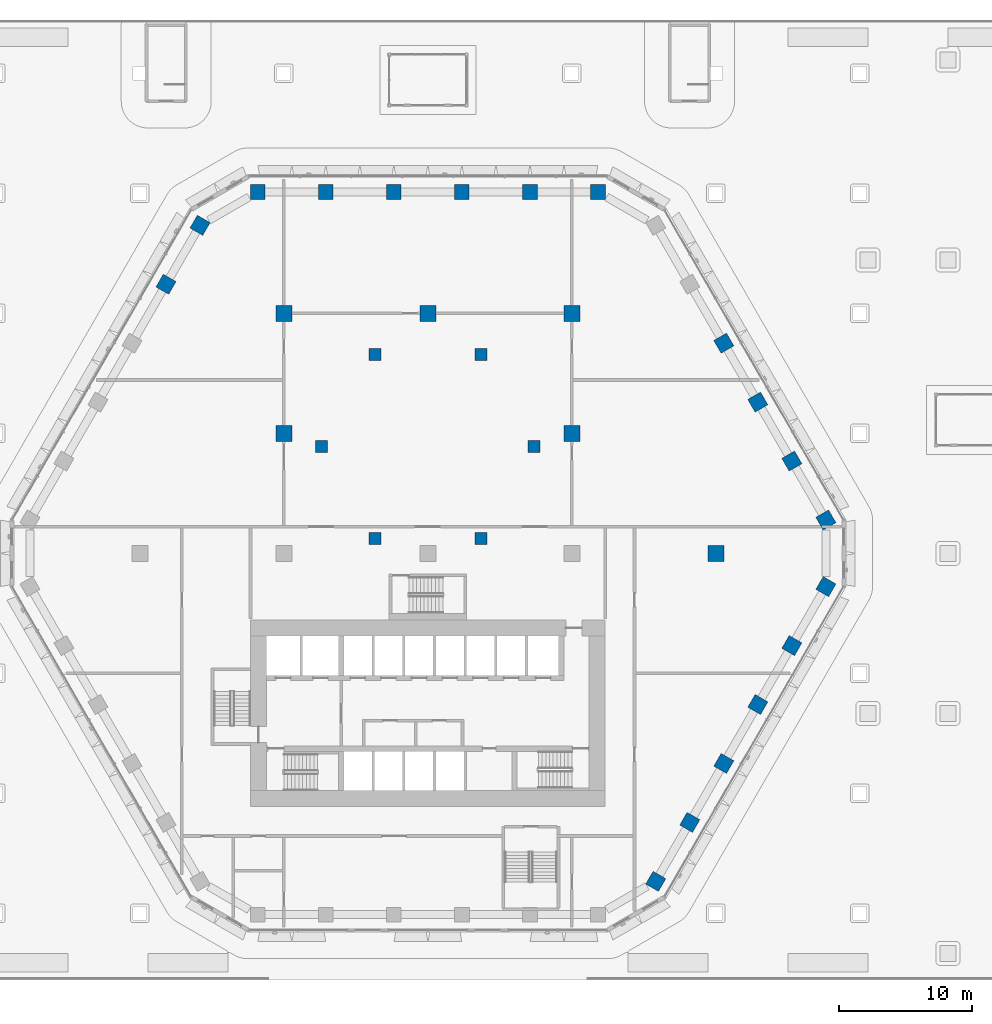
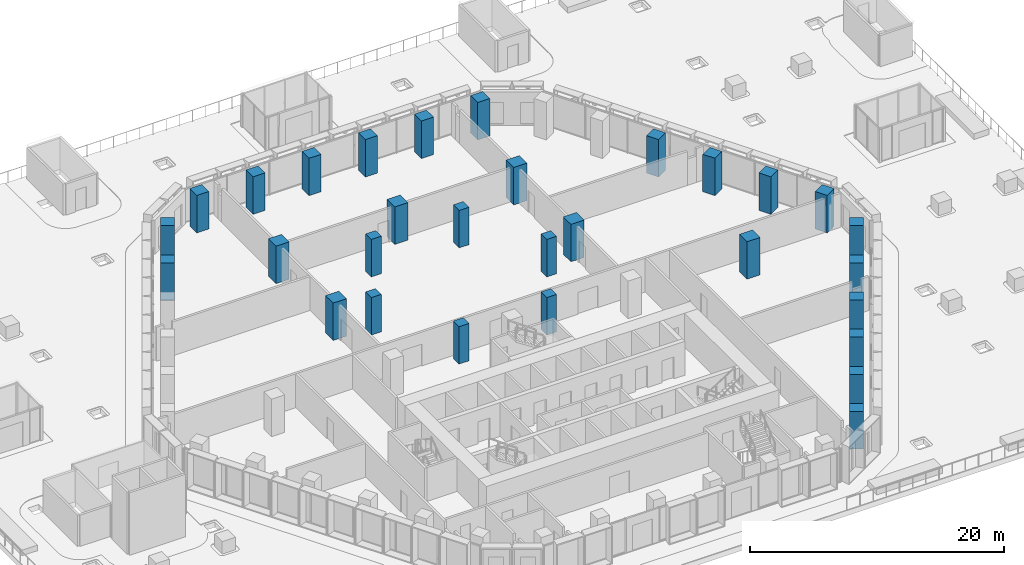
# One storey, part 3 of 38: 30 columns.
"""IFC4 building model written with IfcOpenShell, lengths in metres."""

from ifc_helpers import new_model, si_unit, direction, frame, origin, origin_2d, place, context, subcontext, project, spatial, rectangle, extrude, material, material_profile, profile_set, type_object, element, save


model = new_model("IFC4")

# Units and contexts
model_context = context("Model", 3, precision=1e-05, world=origin(), true_north=direction((0.0, 1.0)))
body_context = subcontext(model_context, "Body", "Model", "MODEL_VIEW")
ifc_project = project(units=[si_unit("LENGTHUNIT", "METRE"), si_unit("AREAUNIT", "SQUARE_METRE"), si_unit("VOLUMEUNIT", "CUBIC_METRE"), si_unit("PLANEANGLEUNIT", "RADIAN"), si_unit("MASSUNIT", "GRAM", prefix="KILO")], contexts=[model_context])

# Site, building, storey
site_placement = place(None, origin())
site = spatial("IfcSite", under=ifc_project, at=site_placement, CompositionType="ELEMENT")
building_placement = place(site_placement, origin())
building = spatial("IfcBuilding", under=site, at=building_placement, Name="Beryl Residences", CompositionType="ELEMENT")
storey_placement = place(building_placement, frame((0.0, 0.0, 9.0)))
storey = spatial("IfcBuildingStorey", under=building, at=storey_placement, Name="L02", CompositionType="ELEMENT", Elevation=9.0)

# Columns
ifc_material_1 = material(Name="Concrete C80/95", Category="concrete")
ifc_material_profile_1 = material_profile(ifc_material_1, rectangle(XDim=1.10009765625, YDim=1.10009765625, at=origin_2d()))
ifc_profile_set_1 = profile_set([ifc_material_profile_1], Name="Concrete C80/95")
column_type_1 = type_object("IfcColumnType", Name="C1 tube column 1100 x 1100 C80/95", PredefinedType="COLUMN", material=ifc_profile_set_1)
for number, where, z_axis, x_axis, name in (
    (1, (12.759033203125, 27.10009765625, 0.0), (0.0, 0.0, 1.0), (-1.0, 0.0, 0.0), "C1-N1 L02"),
    (2, (7.655029296875, 27.10009765625, 0.0), (0.0, 0.0, 1.0), (-1.0, 0.0, 0.0), "C1-N2 L02"),
    (3, (2.551025390625, 27.10009765625, 0.0), (0.0, 0.0, 1.0), (-1.0, 0.0, 0.0), "C1-N3 L02"),
    (4, (-2.552978515625, 27.10009765625, 0.0), (0.0, 0.0, 1.0), (-1.0, 0.0, 0.0), "C1-N4 L02"),
    (5, (-7.656982421875, 27.10009765625, 0.0), (0.0, 0.0, 1.0), (-1.0, 0.0, 0.0), "C1-N5 L02"),
    (6, (-12.760986328125, 27.10009765625, 0.0), (0.0, 0.0, 1.0), (-1.0, 0.0, 0.0), "C1-N6 L02"),
    (7, (-17.090087890625, 24.60009765625, 0.0), (0.0, 0.0, 1.0), (-0.499984884929, -0.866034130299, 0.0), "C1-NW1 L02"),
    (8, (-19.64208984375, 20.179931640625, 0.0), (0.0, 0.0, 1.0), (-0.499984884929, -0.866034130299, 0.0), "C1-NW2 L02"),
    (9, (17.090087890625, -24.60009765625, 0.0), (0.0, 0.0, 1.0), (0.499984884929, 0.866034130299, 0.0), "C1-SE1 L02"),
    (10, (19.64208984375, -20.179931640625, 0.0), (0.0, 0.0, 1.0), (0.499984884929, 0.866034130299, 0.0), "C1-SE2 L02"),
    (11, (22.194091796875, -15.759033203125, 0.0), (0.0, 0.0, 1.0), (0.499984884929, 0.866034130299, 0.0), "C1-SE3 L02"),
    (12, (24.74609375, -11.339111328125, 0.0), (0.0, 0.0, 1.0), (0.499984884929, 0.866034130299, 0.0), "C1-SE4 L02"),
    (13, (27.298095703125, -6.9189453125, 0.0), (0.0, 0.0, 1.0), (0.499984884929, 0.866034130299, 0.0), "C1-SE5 L02"),
    (14, (29.84912109375, -2.4990234375, 0.0), (0.0, 0.0, 1.0), (0.499984884929, 0.866034130299, 0.0), "C1-SE6 L02"),
    (15, (29.847900390625, 2.5, 0.0), (0.0, 0.0, 1.0), (-0.499984884929, 0.866034130299, 0.0), "C1-NE1 L02"),
    (16, (27.297119140625, 6.9208984375, 0.0), (0.0, 0.0, 1.0), (-0.499984884929, 0.866034130299, 0.0), "C1-NE2 L02"),
    (17, (24.7451171875, 11.341064453125, 0.0), (0.0, 0.0, 1.0), (-0.499984884929, 0.866034130299, 0.0), "C1-NE3 L02"),
    (18, (22.193115234375, 15.760986328125, 0.0), (0.0, 0.0, 1.0), (-0.499984884929, 0.866034130299, 0.0), "C1-NE4 L02"),
):
    element("IfcColumn", number, at=place(storey_placement, frame(where, z_axis=z_axis, x_axis=x_axis)), inside=storey, type_object=column_type_1, Name=name, PredefinedType="COLUMN", context=body_context, shape_type="SweptSolid", body=[
        extrude(rectangle(XDim=1.10009765625, YDim=1.10009765625, at=origin_2d()), origin(), (0.0, 0.0, 1.0), 3.60009765625),
    ])
ifc_material_2 = material(Name="Concrete C80/95", Category="concrete")
ifc_material_profile_2 = material_profile(ifc_material_2, rectangle(XDim=0.89990234375, YDim=0.89990234375, at=origin_2d()))
ifc_profile_set_2 = profile_set([ifc_material_profile_2], Name="Concrete C80/95")
column_type_2 = type_object("IfcColumnType", Name="IC1 interior column 900 x 900 C80/95", PredefinedType="COLUMN", material=ifc_profile_set_2)
for number, where, z_axis, x_axis, name in (
    (19, (3.98388671875, 1.10009765625, 0.0), (0.0, 0.0, 1.0), (1.0, 0.0, 0.0), "IC1-A07 L02"),
    (20, (7.967041015625, 8.0, 0.0), (0.0, 0.0, 1.0), (1.0, 0.0, 0.0), "IC1-A10 L02"),
    (21, (3.98388671875, 14.89990234375, 0.0), (0.0, 0.0, 1.0), (1.0, 0.0, 0.0), "IC1-A13 L02"),
    (22, (-3.98388671875, 14.89990234375, 0.0), (0.0, 0.0, 1.0), (1.0, 0.0, 0.0), "IC1-A16 L02"),
    (23, (-7.967041015625, 8.0, 0.0), (0.0, 0.0, 1.0), (1.0, 0.0, 0.0), "IC1-A19 L02"),
    (24, (-3.98388671875, 1.10009765625, 0.0), (0.0, 0.0, 1.0), (1.0, 0.0, 0.0), "IC1-A22 L02"),
):
    element("IfcColumn", number, at=place(storey_placement, frame(where, z_axis=z_axis, x_axis=x_axis)), inside=storey, type_object=column_type_2, Name=name, PredefinedType="COLUMN", context=body_context, shape_type="SweptSolid", body=[
        extrude(rectangle(XDim=0.89990234375, YDim=0.89990234375, at=origin_2d()), origin(), (0.0, 0.0, 1.0), 3.60009765625),
    ])
ifc_material_3 = material(Name="Concrete C80/95", Category="concrete")
ifc_material_profile_3 = material_profile(ifc_material_3, rectangle(XDim=1.199951171875, YDim=1.199951171875, at=origin_2d()))
ifc_profile_set_3 = profile_set([ifc_material_profile_3], Name="Concrete C80/95")
column_type_3 = type_object("IfcColumnType", Name="IG1 grid column 1200 x 1200 C80/95", PredefinedType="COLUMN", material=ifc_profile_set_3)
for number, where, z_axis, x_axis, name in (
    (25, (-10.800048828125, 9.0, 0.0), (0.0, 0.0, 1.0), (1.0, 0.0, 0.0), "IG-4E L02"),
    (26, (-10.800048828125, 18.0, 0.0), (0.0, 0.0, 1.0), (1.0, 0.0, 0.0), "IG-4F L02"),
    (27, (0.0, 18.0, 0.0), (0.0, 0.0, 1.0), (1.0, 0.0, 0.0), "IG-5F L02"),
    (28, (10.800048828125, 9.0, 0.0), (0.0, 0.0, 1.0), (1.0, 0.0, 0.0), "IG-6E L02"),
    (29, (10.800048828125, 18.0, 0.0), (0.0, 0.0, 1.0), (1.0, 0.0, 0.0), "IG-6F L02"),
    (30, (21.60009765625, 0.0, 0.0), (0.0, 0.0, 1.0), (1.0, 0.0, 0.0), "IG-7D L02"),
):
    element("IfcColumn", number, at=place(storey_placement, frame(where, z_axis=z_axis, x_axis=x_axis)), inside=storey, type_object=column_type_3, Name=name, PredefinedType="COLUMN", context=body_context, shape_type="SweptSolid", body=[
        extrude(rectangle(XDim=1.199951171875, YDim=1.199951171875, at=origin_2d()), origin(), (0.0, 0.0, 1.0), 3.60009765625),
    ])

save(model, "model.ifc")
